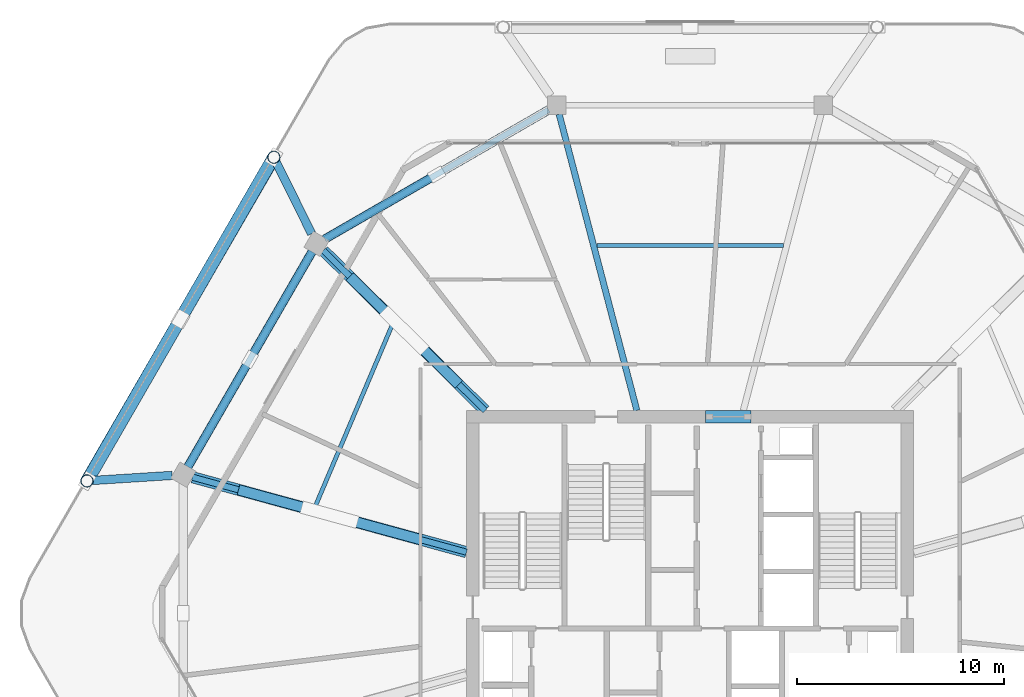
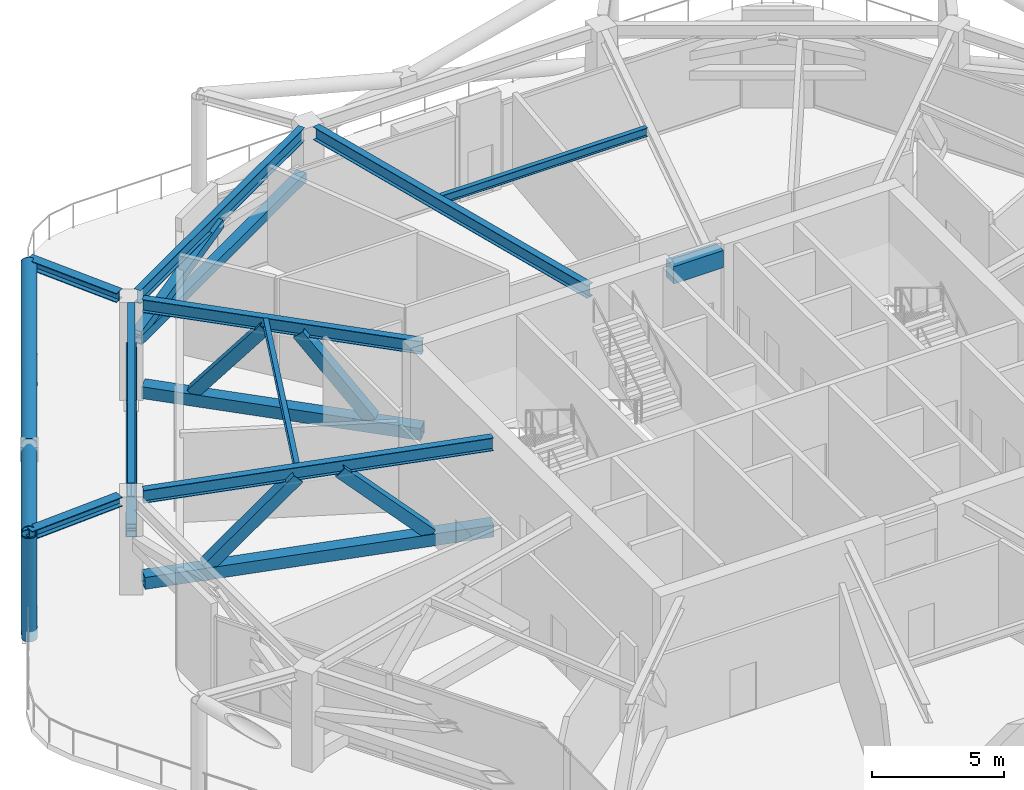
# One storey, part 7 of 20: 16 members, 10 beams.
"""IFC4 building model written with IfcOpenShell, lengths in metres."""

from ifc_helpers import new_model, si_unit, direction, frame, origin, origin_2d, place, context, subcontext, project, spatial, rectangle, hollow_rectangle, hollow_circle, i_section, extrude, material, material_profile, profile_set, type_object, element, save


model = new_model("IFC4")

# Units and contexts
model_context = context("Model", 3, precision=1e-05, world=origin(), true_north=direction((0.0, 1.0)))
body_context = subcontext(model_context, "Body", "Model", "MODEL_VIEW")
ifc_project = project(units=[si_unit("LENGTHUNIT", "METRE"), si_unit("AREAUNIT", "SQUARE_METRE"), si_unit("VOLUMEUNIT", "CUBIC_METRE"), si_unit("PLANEANGLEUNIT", "RADIAN"), si_unit("MASSUNIT", "GRAM", prefix="KILO")], contexts=[model_context])

# Site, building, storey
site_placement = place(None, origin())
site = spatial("IfcSite", under=ifc_project, at=site_placement, CompositionType="ELEMENT")
building_placement = place(site_placement, origin())
building = spatial("IfcBuilding", under=site, at=building_placement, Name="Zuhravey Tower", CompositionType="ELEMENT")
storey_placement = place(building_placement, frame((0.0, 0.0, 226.39990234375)))
storey = spatial("IfcBuildingStorey", under=building, at=storey_placement, Name="L57", CompositionType="ELEMENT", Elevation=226.39990234375)

# Members
ifc_material_1 = material(Name="Steel SM355", Category="steel")
ifc_material_profile_1 = material_profile(ifc_material_1, hollow_rectangle(XDim=0.419921875, YDim=0.419921875, WallThickness=0.028076171875, at=origin_2d()), Name="RHS-420x420x28")
ifc_profile_set_1 = profile_set([ifc_material_profile_1], Name="Steel SM355")
member_type_1 = type_object("IfcMemberType", Name="Belt Truss Chord RHS420x420", PredefinedType="CHORD", material=ifc_profile_set_1)
member_1_placement = place(storey_placement, frame((29.1650390625, 56.326171875, 2.27001953125), z_axis=(-0.866024429177, -0.500001688065, 0.0), x_axis=(0.500001688065, -0.866024429177, 0.0)))
element("IfcMember", 1, at=member_1_placement, inside=storey, type_object=member_type_1, Name="L57 Belt Truss Bottom Chord BTC1-03", PredefinedType="CHORD", context=body_context, shape_type="SweptSolid", body=[
    extrude(hollow_rectangle(XDim=0.419921875, YDim=0.419921875, WallThickness=0.028076171875, at=origin_2d()), origin(), (0.0, 0.0, 1.0), 12.48779296875),
])
member_2_placement = place(storey_placement, frame((17.72900390625, 49.460693359375, 2.27001953125), z_axis=(-0.500019018537, -0.866014423149, 0.0), x_axis=(0.866014423149, -0.500019018537, 0.0)))
element("IfcMember", 2, at=member_2_placement, inside=storey, type_object=member_type_1, Name="L57 Belt Truss Bottom Chord BTC1-04", PredefinedType="CHORD", context=body_context, shape_type="SweptSolid", body=[
    extrude(hollow_rectangle(XDim=0.419921875, YDim=0.419921875, WallThickness=0.028076171875, at=origin_2d()), origin(), (0.0, 0.0, 1.0), 11.9716796875),
])
ifc_material_profile_2 = material_profile(ifc_material_1, hollow_rectangle(XDim=0.39990234375, YDim=0.39990234375, WallThickness=0.02490234375, at=origin_2d()), Name="RHS-400x400x25")
ifc_profile_set_2 = profile_set([ifc_material_profile_2], Name="Steel SM355")
member_type_2 = type_object("IfcMemberType", Name="Belt Truss Diagonal RHS400x400", PredefinedType="BRACE", material=ifc_profile_set_2)
member_3_placement = place(storey_placement, frame((18.363037109375, 50.089599609375, 2.493408203125), z_axis=(0.843887873098, 0.487178374606, 0.224745386947), x_axis=(-0.49996881482, 0.866043407808, 0.0)))
element("IfcMember", 3, at=member_3_placement, inside=storey, type_object=member_type_2, Name="L57 Belt Truss Diagonal BTD1-03.2", PredefinedType="BRACE", context=body_context, shape_type="SweptSolid", body=[
    extrude(hollow_rectangle(XDim=0.39990234375, YDim=0.39990234375, WallThickness=0.02490234375, at=origin_2d()), origin(), (0.0, 0.0, 1.0), 6.367919921875),
])
for number, where, z_axis, x_axis, name in (
    (4, (17.7216796875, 49.447998046875, 2.49365234375), (-0.486154520979, -0.841989295572, 0.233897002704), (0.866011252126, -0.50002451059, 0.0), "L57 Belt Truss Diagonal BTD1-04.1"),
    (5, (11.750244140625, 39.10546875, 2.49365234375), (0.486107701976, 0.842017249437, 0.233893680399), (-0.866039291593, 0.499975944838, 0.0), "L57 Belt Truss Diagonal BTD1-04.2"),
):
    element("IfcMember", number, at=place(storey_placement, frame(where, z_axis=z_axis, x_axis=x_axis)), inside=storey, type_object=member_type_2, Name=name, PredefinedType="BRACE", context=body_context, shape_type="SweptSolid", body=[
        extrude(hollow_rectangle(XDim=0.39990234375, YDim=0.39990234375, WallThickness=0.02490234375, at=origin_2d()), origin(), (0.0, 0.0, 1.0), 6.11669921875),
    ])

# Beams
ifc_material_2 = material(Name="Concrete C50/60", Category="concrete")
ifc_material_profile_3 = material_profile(ifc_material_2, rectangle(XDim=0.60009765625, YDim=0.800048828125, at=origin_2d()), Name="RC-600x800")
ifc_profile_set_3 = profile_set([ifc_material_profile_3], Name="Concrete C50/60")
beam_type_1 = type_object("IfcBeamType", Name="Core Coupling Beam RC600x800", PredefinedType="LINTEL", material=ifc_profile_set_3)
beam_1_placement = place(storey_placement, frame((36.751953125, 41.5, 4.150146484375), z_axis=(1.0, 0.0, 0.0), x_axis=(0.0, 1.0, 0.0)))
element("IfcBeam", 6, at=beam_1_placement, inside=storey, type_object=beam_type_1, Name="L57 CB2 BM-L57-CB-N", PredefinedType="LINTEL", context=body_context, shape_type="SweptSolid", body=[
    extrude(rectangle(XDim=0.60009765625, YDim=0.800048828125, at=origin_2d()), origin(), (0.0, 0.0, 1.0), 2.196044921875),
])
ifc_material_3 = material(Name="Steel SM460", Category="steel")
ifc_material_profile_4 = material_profile(ifc_material_3, i_section(OverallWidth=0.406982421875, OverallDepth=0.427978515625, WebThickness=0.02001953125, FlangeThickness=0.034912109375, at=origin_2d()), Name="H-428x407x20x35")
ifc_profile_set_4 = profile_set([ifc_material_profile_4], Name="Steel SM460")
beam_type_2 = type_object("IfcBeamType", Name="Exoskeleton Node Tie Beam H428x407", PredefinedType="BEAM", material=ifc_profile_set_4)
for number, where, z_axis, x_axis, name in (
    (7, (17.714599609375, 50.342529296875, 4.336181640625), (-0.444076610342, 0.895988819209, 0.0), (-0.895988819209, -0.444076610342, 0.0), "L57 Exoskeleton Node Tie NT1-05"),
    (8, (10.97216796875, 38.664306640625, 4.336181640625), (-0.997988306993, -0.063398257903, 0.0), (0.063398257903, -0.997988306993, 0.0), "L57 Exoskeleton Node Tie NT1-06"),
):
    element("IfcBeam", number, at=place(storey_placement, frame(where, z_axis=z_axis, x_axis=x_axis)), inside=storey, type_object=beam_type_2, Name=name, PredefinedType="BEAM", context=body_context, shape_type="SweptSolid", body=[
        extrude(i_section(OverallWidth=0.406982421875, OverallDepth=0.427978515625, WebThickness=0.02001953125, FlangeThickness=0.034912109375, at=origin_2d()), origin(), (0.0, 0.0, 1.0), 4.11279296875),
    ])

# Members
ifc_material_profile_5 = material_profile(ifc_material_1, hollow_circle(Radius=0.3046875, WallThickness=0.028076171875, at=origin_2d()), Name="CHS-609.6x28")
ifc_profile_set_5 = profile_set([ifc_material_profile_5], Name="Steel SM355")
member_type_3 = type_object("IfcMemberType", Name="Exoskeleton Zone 3 Diagrid CHS610x28", PredefinedType="BRACE", material=ifc_profile_set_5)
member_4_placement = place(storey_placement, frame((15.89453125, 54.03369140625, -0.475830078125), z_axis=(-0.002699111076, 0.001527798722, 0.999995190304), x_axis=(-0.492598219852, -0.870256855071, 0.0)))
element("IfcMember", 9, at=member_4_placement, inside=storey, type_object=member_type_3, Name="L57 Face 3 Diagrid Brace 1", PredefinedType="BRACE", context=body_context, shape_type="SweptSolid", body=[
    extrude(hollow_circle(Radius=0.3046875, WallThickness=0.028076171875, at=origin_2d()), origin(), (0.0, 0.0, 1.0), 4.7939453125),
])
member_5_placement = place(storey_placement, frame((15.865478515625, 53.9833984375, -0.478515625), z_axis=(-0.483714147134, -0.83621370063, 0.258393635258), x_axis=(0.865610065929, -0.500718697237, 0.0)))
element("IfcMember", 10, at=member_5_placement, inside=storey, type_object=member_type_3, Name="L57 Face 3 Diagrid Brace 2", PredefinedType="BRACE", context=body_context, shape_type="SweptSolid", body=[
    extrude(hollow_circle(Radius=0.3046875, WallThickness=0.028076171875, at=origin_2d()), origin(), (0.0, 0.0, 1.0), 18.57275390625),
])
member_6_placement = place(storey_placement, frame((6.865478515625, 38.39501953125, -0.475830078125), z_axis=(-0.002699110862, 0.001578725221, 0.999995111202), x_axis=(-0.504883315038, -0.863187603129, 0.0)))
element("IfcMember", 11, at=member_6_placement, inside=storey, type_object=member_type_3, Name="L57 Face 3 Diagrid Brace 4", PredefinedType="BRACE", context=body_context, shape_type="SweptSolid", body=[
    extrude(hollow_circle(Radius=0.3046875, WallThickness=0.028076171875, at=origin_2d()), origin(), (0.0, 0.0, 1.0), 4.7939453125),
])
member_7_placement = place(storey_placement, frame((6.89453125, 38.4453125, -0.478515625), z_axis=(0.482316449081, 0.837014404064, 0.258413874115), x_axis=(-0.866443772923, 0.499274662247, 0.0)))
element("IfcMember", 12, at=member_7_placement, inside=storey, type_object=member_type_3, Name="L57 Face 3 Split Diagrid Brace 3A", PredefinedType="BRACE", context=body_context, shape_type="SweptSolid", body=[
    extrude(hollow_circle(Radius=0.3046875, WallThickness=0.028076171875, at=origin_2d()), origin(), (0.0, 0.0, 1.0), 8.991455078125),
])
member_8_placement = place(storey_placement, frame((11.515869140625, 46.465087890625, 1.997314453125), z_axis=(0.482319833199, 0.837020276878, 0.258388534185), x_axis=(-0.866443772923, 0.499274662247, 0.0)))
element("IfcMember", 13, at=member_8_placement, inside=storey, type_object=member_type_3, Name="L57 Face 3 Split Diagrid Brace 3B", PredefinedType="BRACE", context=body_context, shape_type="SweptSolid", body=[
    extrude(hollow_circle(Radius=0.3046875, WallThickness=0.028076171875, at=origin_2d()), origin(), (0.0, 0.0, 1.0), 8.9912109375),
])
ifc_material_profile_6 = material_profile(ifc_material_3, hollow_rectangle(XDim=0.550048828125, YDim=0.550048828125, WallThickness=0.034912109375, at=origin_2d()), Name="RHS-550x550x35")
ifc_profile_set_6 = profile_set([ifc_material_profile_6], Name="Steel SM460")
member_type_4 = type_object("IfcMemberType", Name="Outrigger Truss Chord RHS550x550", PredefinedType="CHORD", material=ifc_profile_set_6)
member_9_placement = place(storey_placement, frame((26.08984375, 41.806640625, 0.320068359375), z_axis=(-0.710835092384, 0.703358707514, 0.0), x_axis=(-0.703358707514, -0.710835092384, 0.0)))
element("IfcMember", 14, at=member_9_placement, inside=storey, type_object=member_type_4, Name="L57 Outrigger Bottom Chord OTC1-03", PredefinedType="CHORD", context=body_context, shape_type="SweptSolid", body=[
    extrude(hollow_rectangle(XDim=0.550048828125, YDim=0.550048828125, WallThickness=0.034912109375, at=origin_2d()), origin(), (0.0, 0.0, 1.0), 10.97216796875),
])
member_10_placement = place(storey_placement, frame((25.192138671875, 34.95703125, 0.320068359375), z_axis=(-0.964553096475, 0.263888847967, 0.0), x_axis=(-0.263888847967, -0.964553096475, 0.0)))
element("IfcMember", 15, at=member_10_placement, inside=storey, type_object=member_type_4, Name="L57 Outrigger Bottom Chord OTC1-04", PredefinedType="CHORD", context=body_context, shape_type="SweptSolid", body=[
    extrude(hollow_rectangle(XDim=0.550048828125, YDim=0.550048828125, WallThickness=0.034912109375, at=origin_2d()), origin(), (0.0, 0.0, 1.0), 13.708984375),
])
ifc_material_profile_7 = material_profile(ifc_material_3, hollow_rectangle(XDim=0.5, YDim=0.5, WallThickness=0.031982421875, at=origin_2d()), Name="RHS-500x500x32")
ifc_profile_set_7 = profile_set([ifc_material_profile_7], Name="Steel SM460")
member_type_5 = type_object("IfcMemberType", Name="Outrigger Truss Diagonal RHS500x500", PredefinedType="BRACE", material=ifc_profile_set_7)
for number, where, z_axis, x_axis, name in (
    (16, (24.685791015625, 43.195556640625, 0.56005859375), (-0.447513072519, 0.442878981702, 0.776910713977), (-0.703417081124, -0.710777327989, 0.0), "L57 Outrigger Diagonal OTD1-03.1"),
    (17, (19.694580078125, 48.134765625, 0.56005859375), (0.447513072519, -0.442878981702, 0.776910713977), (0.703417081124, 0.710777327989, 0.0), "L57 Outrigger Diagonal OTD1-03.2"),
):
    element("IfcMember", number, at=place(storey_placement, frame(where, z_axis=z_axis, x_axis=x_axis)), inside=storey, type_object=member_type_5, Name=name, PredefinedType="BRACE", context=body_context, shape_type="SweptSolid", body=[
        extrude(hollow_rectangle(XDim=0.5, YDim=0.5, WallThickness=0.031982421875, at=origin_2d()), origin(), (0.0, 0.0, 1.0), 4.53076171875),
    ])
for number, where, z_axis, x_axis, name in (
    (18, (22.81201171875, 35.608154296875, 0.56005859375), (-0.686292632713, 0.187777695913, 0.702667744529), (-0.263911332088, -0.964546944838, 0.0), "L57 Outrigger Diagonal OTD1-04.1"),
    (19, (14.34912109375, 37.923583984375, 0.56005859375), (0.686292632713, -0.187777695913, 0.702667744529), (0.263911332088, 0.964546944838, 0.0), "L57 Outrigger Diagonal OTD1-04.2"),
):
    element("IfcMember", number, at=place(storey_placement, frame(where, z_axis=z_axis, x_axis=x_axis)), inside=storey, type_object=member_type_5, Name=name, PredefinedType="BRACE", context=body_context, shape_type="SweptSolid", body=[
        extrude(hollow_rectangle(XDim=0.5, YDim=0.5, WallThickness=0.031982421875, at=origin_2d()), origin(), (0.0, 0.0, 1.0), 5.009521484375),
    ])

# Beams
ifc_material_profile_8 = material_profile(ifc_material_1, i_section(OverallWidth=0.280029296875, OverallDepth=0.6201171875, WebThickness=0.011962890625, FlangeThickness=0.02001953125, at=origin_2d()), Name="H-620x280x12x20")
ifc_profile_set_8 = profile_set([ifc_material_profile_8], Name="Steel SM355")
beam_type_3 = type_object("IfcBeamType", Name="Perimeter Ring Beam H620x280", PredefinedType="BEAM", material=ifc_profile_set_8)
beam_2_placement = place(storey_placement, frame((29.166748046875, 56.3271484375, 4.239990234375), z_axis=(-0.866025131093, -0.500000472315, 0.0), x_axis=(0.500000472315, -0.866025131093, 0.0)))
element("IfcBeam", 20, at=beam_2_placement, inside=storey, type_object=beam_type_3, Name="L57 PB3 BM-L57-PB-04", PredefinedType="BEAM", context=body_context, shape_type="SweptSolid", body=[
    extrude(i_section(OverallWidth=0.280029296875, OverallDepth=0.6201171875, WebThickness=0.011962890625, FlangeThickness=0.02001953125, at=origin_2d()), origin(), (0.0, 0.0, 1.0), 12.49169921875),
])
beam_3_placement = place(storey_placement, frame((17.72998046875, 49.46240234375, 4.239990234375), z_axis=(-0.500017744717, -0.866015158625, 0.0), x_axis=(0.866015158625, -0.500017744717, 0.0)))
element("IfcBeam", 21, at=beam_3_placement, inside=storey, type_object=beam_type_3, Name="L57 PB3 BM-L57-PB-05", PredefinedType="BEAM", context=body_context, shape_type="SweptSolid", body=[
    extrude(i_section(OverallWidth=0.280029296875, OverallDepth=0.6201171875, WebThickness=0.011962890625, FlangeThickness=0.02001953125, at=origin_2d()), origin(), (0.0, 0.0, 1.0), 11.9755859375),
])
ifc_material_profile_9 = material_profile(ifc_material_1, i_section(OverallWidth=0.300048828125, OverallDepth=0.60009765625, WebThickness=0.011962890625, FlangeThickness=0.02001953125, at=origin_2d()), Name="H-600x300x12x20")
ifc_profile_set_9 = profile_set([ifc_material_profile_9], Name="Steel SM355")
beam_type_4 = type_object("IfcBeamType", Name="Radial Primary Girder H600x300", PredefinedType="BEAM", material=ifc_profile_set_9)
beam_4_placement = place(storey_placement, frame((33.428466796875, 41.802978515625, 4.25), z_axis=(-0.253731415841, 0.967274712073, 0.0), x_axis=(-0.967274712073, -0.253731415841, 0.0)))
element("IfcBeam", 22, at=beam_4_placement, inside=storey, type_object=beam_type_4, Name="L57 RG3 BM-L57-RAD-04", PredefinedType="BEAM", context=body_context, shape_type="SweptSolid", body=[
    extrude(i_section(OverallWidth=0.300048828125, OverallDepth=0.60009765625, WebThickness=0.011962890625, FlangeThickness=0.02001953125, at=origin_2d()), origin(), (0.0, 0.0, 1.0), 14.796630859375),
])
beam_5_placement = place(storey_placement, frame((26.09326171875, 41.802978515625, 4.25), z_axis=(-0.710816516282, 0.703377480576, 0.0), x_axis=(-0.703377480576, -0.710816516282, 0.0)))
element("IfcBeam", 23, at=beam_5_placement, inside=storey, type_object=beam_type_4, Name="L57 RG3 BM-L57-RAD-05", PredefinedType="BEAM", context=body_context, shape_type="SweptSolid", body=[
    extrude(i_section(OverallWidth=0.300048828125, OverallDepth=0.60009765625, WebThickness=0.011962890625, FlangeThickness=0.02001953125, at=origin_2d()), origin(), (0.0, 0.0, 1.0), 10.994384765625),
])
beam_6_placement = place(storey_placement, frame((25.197021484375, 34.95556640625, 4.25), z_axis=(-0.964548913045, 0.26390413855, 0.0), x_axis=(-0.26390413855, -0.964548913045, 0.0)))
element("IfcBeam", 24, at=beam_6_placement, inside=storey, type_object=beam_type_4, Name="L57 RG3 BM-L57-RAD-06", PredefinedType="BEAM", context=body_context, shape_type="SweptSolid", body=[
    extrude(i_section(OverallWidth=0.300048828125, OverallDepth=0.60009765625, WebThickness=0.011962890625, FlangeThickness=0.02001953125, at=origin_2d()), origin(), (0.0, 0.0, 1.0), 13.7314453125),
])
ifc_material_profile_10 = material_profile(ifc_material_1, i_section(OverallWidth=0.199951171875, OverallDepth=0.39990234375, WebThickness=0.008056640625, FlangeThickness=0.012939453125, at=origin_2d()), Name="H-400x200x8x13")
ifc_profile_set_10 = profile_set([ifc_material_profile_10], Name="Steel SM355")
beam_type_5 = type_object("IfcBeamType", Name="Secondary Floor Joist H400x200", PredefinedType="JOIST", material=ifc_profile_set_10)
beam_7_placement = place(storey_placement, frame((40.507080078125, 49.768310546875, 4.35009765625), z_axis=(-1.0, 0.0, 0.0), x_axis=(0.0, -1.0, 0.0)))
element("IfcBeam", 25, at=beam_7_placement, inside=storey, type_object=beam_type_5, Name="L57 SJ2 BM-L57-SJ-03-1", PredefinedType="JOIST", context=body_context, shape_type="SweptSolid", body=[
    extrude(i_section(OverallWidth=0.199951171875, OverallDepth=0.39990234375, WebThickness=0.008056640625, FlangeThickness=0.012939453125, at=origin_2d()), origin(), (0.0, 0.0, 1.0), 9.01416015625),
])
beam_8_placement = place(storey_placement, frame((21.63916015625, 46.009033203125, 4.35009765625), z_axis=(-0.390413493754, -0.920639616731, 0.0), x_axis=(0.920639616731, -0.390413493754, 0.0)))
element("IfcBeam", 26, at=beam_8_placement, inside=storey, type_object=beam_type_5, Name="L57 SJ2 BM-L57-SJ-05-1", PredefinedType="JOIST", context=body_context, shape_type="SweptSolid", body=[
    extrude(i_section(OverallWidth=0.199951171875, OverallDepth=0.39990234375, WebThickness=0.008056640625, FlangeThickness=0.012939453125, at=origin_2d()), origin(), (0.0, 0.0, 1.0), 9.656494140625),
])

save(model, "model.ifc")
